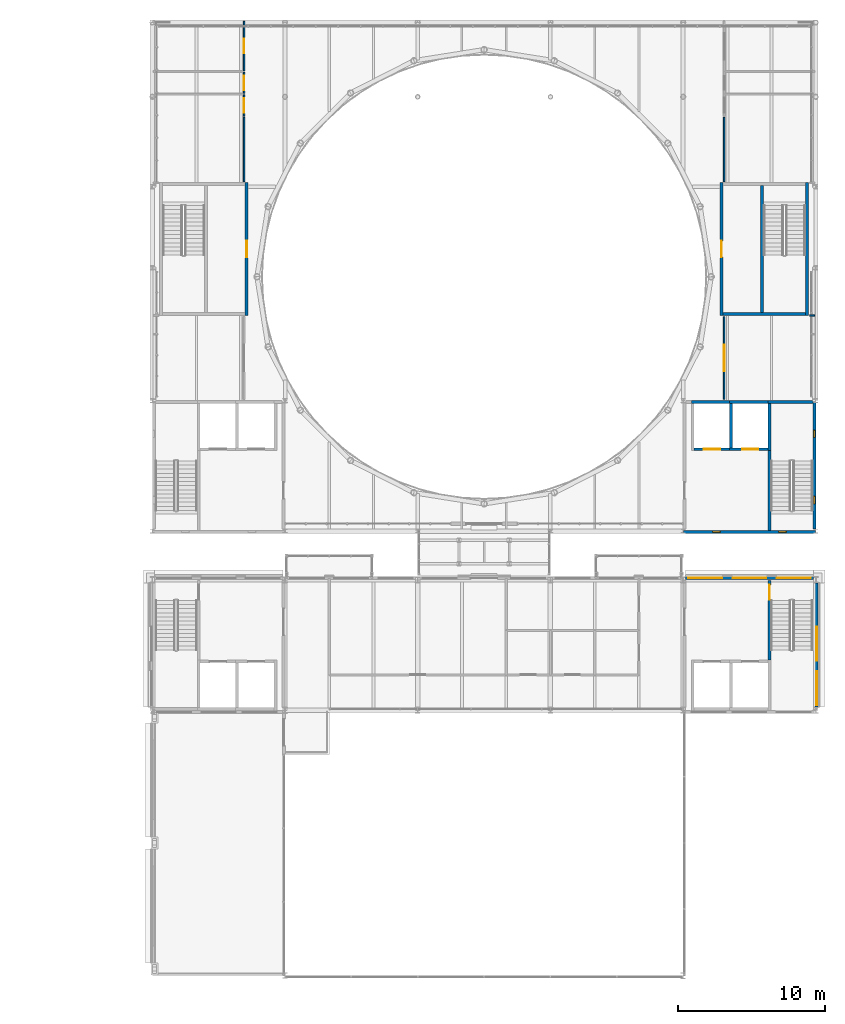
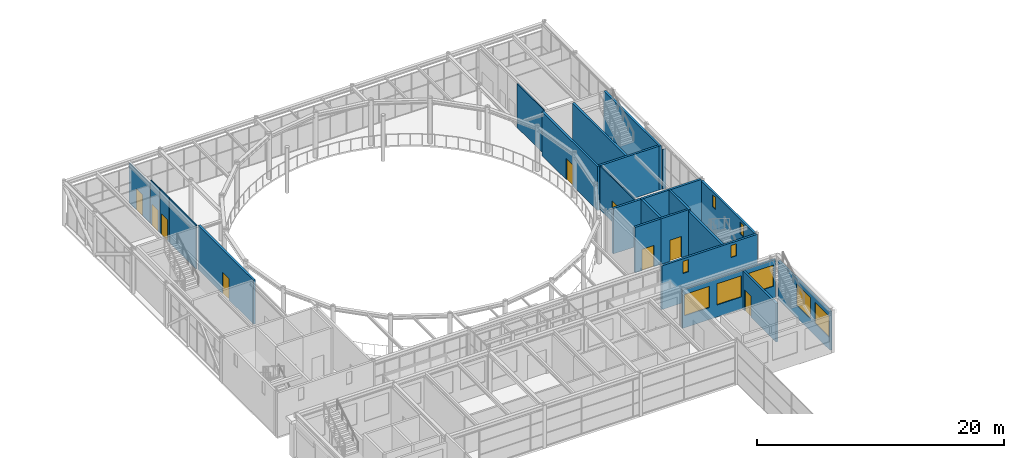
# One storey, part 54 of 70: 25 walls, 9 doors, 9 windows, 18 openings.
"""IFC4 building model written with IfcOpenShell, lengths in metres."""

from ifc_helpers import new_model, si_unit, direction, frame, frame_2d, origin, place, context, subcontext, project, spatial, rectangle, extrude, material, layer, layer_set, type_object, element, fill, save


model = new_model("IFC4")

# Units and contexts
model_context = context("Model", 3, precision=1e-05, world=origin(), true_north=direction((0.0, 1.0)))
body_context = subcontext(model_context, "Body", "Model", "MODEL_VIEW")
ifc_project = project(units=[si_unit("LENGTHUNIT", "METRE"), si_unit("AREAUNIT", "SQUARE_METRE"), si_unit("VOLUMEUNIT", "CUBIC_METRE"), si_unit("PLANEANGLEUNIT", "RADIAN"), si_unit("MASSUNIT", "GRAM", prefix="KILO")], contexts=[model_context])

# Site, building, storey
site_placement = place(None, origin())
site = spatial("IfcSite", under=ifc_project, at=site_placement, CompositionType="ELEMENT")
building_placement = place(site_placement, origin())
building = spatial("IfcBuilding", under=site, at=building_placement, Name="Kallimachos Central Library", CompositionType="ELEMENT")
storey_placement = place(building_placement, frame((0.0, 0.0, 18.89990234375)))
storey = spatial("IfcBuildingStorey", under=building, at=storey_placement, Name="L04", CompositionType="ELEMENT", Elevation=18.89990234375)

# Walls
ifc_material_1 = material(Name="Concrete C30/37", Category="concrete")
ifc_layer_1 = layer(ifc_material_1, 0.199951171875)
ifc_layer_set_1 = layer_set([ifc_layer_1], Name="Core wall 200")
wall_type_1 = type_object("IfcWallType", Name="Core wall 200", PredefinedType="SOLIDWALL", material=ifc_layer_set_1)
wall_1_placement = place(storey_placement, frame((107.25, 95.89990234375, 0.0), z_axis=(0.0, 0.0, 1.0), x_axis=(1.0, 0.0, 0.0)))
element("IfcWall", 1, at=wall_1_placement, inside=storey, type_object=wall_type_1, Name="Core wall V1-SE N", PredefinedType="SOLIDWALL", context=body_context, shape_type="SweptSolid", body=[
    extrude(rectangle(XDim=3.050048828125, YDim=0.199951171875, at=frame_2d((1.52490234375, 0.0))), origin(), (0.0, 0.0, 1.0), 4.5),
])
wall_2_placement = place(storey_placement, frame((107.35009765625, 87.199951171875, 0.0), z_axis=(0.0, 0.0, 1.0), x_axis=(0.0, 1.0, 0.0)))
element("IfcWall", 2, at=wall_2_placement, inside=storey, type_object=wall_type_1, Name="Stair wall V1-SE", PredefinedType="SOLIDWALL", context=body_context, shape_type="SweptSolid", body=[
    extrude(rectangle(XDim=5.400146484375, YDim=0.199951171875, at=frame_2d((2.7001953125, 0.0))), origin(), (0.0, 0.0, 1.0), 4.35009765625),
])

# Wall, opening, door
wall_3_placement = place(storey_placement, frame((71.89990234375, 101.77490234375, 0.0), z_axis=(0.0, 0.0, 1.0), x_axis=(0.0, 1.0, 0.0)))
wall_3 = element("IfcWall", 3, at=wall_3_placement, inside=storey, type_object=wall_type_1, Name="Core wall V1-NW E", PredefinedType="SOLIDWALL", context=body_context, shape_type="SweptSolid", body=[
    extrude(rectangle(XDim=9.0, YDim=0.199951171875, at=frame_2d((4.5, 0.0))), origin(), (0.0, 0.0, 1.0), 4.35009765625),
])
opening_1_placement = place(wall_3_placement, frame((3.949951171875, 0.0, 0.0)))
opening_1 = element("IfcOpeningElement", 4, at=opening_1_placement, cuts=wall_3, Name="Opening D236", PredefinedType="OPENING", context=body_context, shape_type="SweptSolid", body=[
    extrude(rectangle(XDim=1.10009765625, YDim=2.10009765625, at=frame_2d((0.550048828125, 1.050048828125))), frame((0.0, 0.10986328125, 0.0), z_axis=(0.0, -1.0, 0.0), x_axis=(1.0, 0.0, 0.0)), (0.0, 0.0, 1.0), 0.219970703125),
])
ifc_material_2 = material(Name="Steel fire door", Category="steel")
door_type_1 = type_object("IfcDoorType", Name="Fire door EI2 90 1100 x 2100", OperationType="NOTDEFINED", PredefinedType="DOOR", material=ifc_material_2)
door_1_placement = place(opening_1_placement, origin())
door_1 = element("IfcDoor", 5, at=door_1_placement, inside=storey, type_object=door_type_1, Name="V1-DOR-L04-008", OperationType="SINGLE_SWING_RIGHT", OverallHeight=2.10009765625, OverallWidth=1.10009765625, PredefinedType="DOOR", context=body_context, shape_type="SweptSolid", body=[
    extrude(rectangle(XDim=1.10009765625, YDim=2.10009765625, at=frame_2d((0.550048828125, 1.050048828125))), frame((0.0, 0.02490234375, 0.0), z_axis=(0.0, -1.0, 0.0), x_axis=(1.0, 0.0, 0.0)), (0.0, 0.0, 1.0), 0.050048828125),
])
fill(opening_1, door_1)

wall_4_placement = place(storey_placement, frame((104.10009765625, 101.77490234375, 0.0), z_axis=(0.0, 0.0, 1.0), x_axis=(0.0, 1.0, 0.0)))
wall_4 = element("IfcWall", 6, at=wall_4_placement, inside=storey, type_object=wall_type_1, Name="Core wall V1-NE W", PredefinedType="SOLIDWALL", context=body_context, shape_type="SweptSolid", body=[
    extrude(rectangle(XDim=9.0, YDim=0.199951171875, at=frame_2d((4.5, 0.0))), origin(), (0.0, 0.0, 1.0), 4.35009765625),
])
opening_2_placement = place(wall_4_placement, frame((3.949951171875, 0.0, 0.0)))
opening_2 = element("IfcOpeningElement", 7, at=opening_2_placement, cuts=wall_4, Name="Opening D242", PredefinedType="OPENING", context=body_context, shape_type="SweptSolid", body=[
    extrude(rectangle(XDim=1.10009765625, YDim=2.10009765625, at=frame_2d((0.550048828125, 1.050048828125))), frame((0.0, 0.10986328125, 0.0), z_axis=(0.0, -1.0, 0.0), x_axis=(1.0, 0.0, 0.0)), (0.0, 0.0, 1.0), 0.219970703125),
])
door_2_placement = place(opening_2_placement, frame((1.10009765625, 0.0, 0.0), z_axis=(0.0, 0.0, 1.0), x_axis=(-1.0, 0.0, 0.0)))
door_2 = element("IfcDoor", 8, at=door_2_placement, inside=storey, type_object=door_type_1, Name="V1-DOR-L04-009", OperationType="SINGLE_SWING_LEFT", OverallHeight=2.10009765625, OverallWidth=1.10009765625, PredefinedType="DOOR", context=body_context, shape_type="SweptSolid", body=[
    extrude(rectangle(XDim=1.10009765625, YDim=2.10009765625, at=frame_2d((0.550048828125, 1.050048828125))), frame((0.0, 0.02490234375, 0.0), z_axis=(0.0, -1.0, 0.0), x_axis=(1.0, 0.0, 0.0)), (0.0, 0.0, 1.0), 0.050048828125),
])
fill(opening_2, door_2)

# Walls
wall_5_placement = place(storey_placement, frame((109.89990234375, 101.77490234375, 0.0), z_axis=(0.0, 0.0, 1.0), x_axis=(0.0, 1.0, 0.0)))
element("IfcWall", 9, at=wall_5_placement, inside=storey, type_object=wall_type_1, Name="Core wall V1-NE E", PredefinedType="SOLIDWALL", context=body_context, shape_type="SweptSolid", body=[
    extrude(rectangle(XDim=9.0, YDim=0.199951171875, at=frame_2d((4.5, 0.0))), origin(), (0.0, 0.0, 1.0), 4.35009765625),
])
wall_6_placement = place(storey_placement, frame((104.199951171875, 101.875, 0.0), z_axis=(0.0, 0.0, 1.0), x_axis=(1.0, 0.0, 0.0)))
element("IfcWall", 10, at=wall_6_placement, inside=storey, type_object=wall_type_1, Name="Core wall V1-NE S", PredefinedType="SOLIDWALL", context=body_context, shape_type="SweptSolid", body=[
    extrude(rectangle(XDim=5.60009765625, YDim=0.199951171875, at=frame_2d((2.800048828125, 0.0))), origin(), (0.0, 0.0, 1.0), 4.35009765625),
])
wall_7_placement = place(storey_placement, frame((106.85009765625, 101.97509765625, 0.0), z_axis=(0.0, 0.0, 1.0), x_axis=(0.0, 1.0, 0.0)))
element("IfcWall", 11, at=wall_7_placement, inside=storey, type_object=wall_type_1, Name="Stair wall V1-NE", PredefinedType="SOLIDWALL", context=body_context, shape_type="SweptSolid", body=[
    extrude(rectangle(XDim=8.599853515625, YDim=0.199951171875, at=frame_2d((4.2998046875, 0.0))), origin(), (0.0, 0.0, 1.0), 4.35009765625),
])
ifc_material_3 = material(Name="Concrete C30/37", Category="concrete")
ifc_layer_2 = layer(ifc_material_3, 0.199951171875)
ifc_layer_set_2 = layer_set([ifc_layer_2], Name="Lift shaft wall 200")
wall_type_2 = type_object("IfcWallType", Name="Lift shaft wall 200", PredefinedType="SOLIDWALL", material=ifc_layer_set_2)
wall_8_placement = place(storey_placement, frame((104.64990234375, 95.89990234375, 0.0), z_axis=(0.0, 0.0, 1.0), x_axis=(1.0, 0.0, 0.0)))
element("IfcWall", 12, at=wall_8_placement, inside=storey, type_object=wall_type_2, Name="V1-WAL-L04-008", PredefinedType="SOLIDWALL", context=body_context, shape_type="SweptSolid", body=[
    extrude(rectangle(XDim=2.60009765625, YDim=0.199951171875, at=frame_2d((1.300048828125, 0.0))), origin(), (0.0, 0.0, 1.0), 4.5),
])

# Wall, opening, door
wall_9_placement = place(storey_placement, frame((104.64990234375, 92.699951171875, 0.0), z_axis=(0.0, 0.0, 1.0), x_axis=(1.0, 0.0, 0.0)))
wall_9 = element("IfcWall", 13, at=wall_9_placement, inside=storey, type_object=wall_type_2, Name="V1-WAL-L04-009", PredefinedType="SOLIDWALL", context=body_context, shape_type="SweptSolid", body=[
    extrude(rectangle(XDim=2.60009765625, YDim=0.199951171875, at=frame_2d((1.300048828125, 0.0))), origin(), (0.0, 0.0, 1.0), 4.5),
])
opening_3_placement = place(wall_9_placement, frame((0.85009765625, 0.0, 0.0)))
opening_3 = element("IfcOpeningElement", 14, at=opening_3_placement, cuts=wall_9, Name="Opening LD1100", PredefinedType="OPENING", context=body_context, shape_type="SweptSolid", body=[
    extrude(rectangle(XDim=1.10009765625, YDim=2.10009765625, at=frame_2d((0.550048828125, 1.050048828125))), frame((0.0, 0.10986328125, 0.0), z_axis=(0.0, -1.0, 0.0), x_axis=(1.0, 0.0, 0.0)), (0.0, 0.0, 1.0), 0.219970703125),
])
ifc_material_4 = material(Name="Stainless steel", Category="steel")
door_type_2 = type_object("IfcDoorType", Name="Lift landing door 1100 x 2100", OperationType="SLIDING_TO_LEFT", PredefinedType="DOOR", material=ifc_material_4)
door_3_placement = place(opening_3_placement, origin())
door_3 = element("IfcDoor", 15, at=door_3_placement, inside=storey, type_object=door_type_2, Name="LF3 landing door L04", OperationType="SLIDING_TO_LEFT", OverallHeight=2.10009765625, OverallWidth=1.10009765625, PredefinedType="DOOR", context=body_context, shape_type="SweptSolid", body=[
    extrude(rectangle(XDim=1.10009765625, YDim=2.10009765625, at=frame_2d((0.550048828125, 1.050048828125))), frame((0.0, 0.02490234375, 0.0), z_axis=(0.0, -1.0, 0.0), x_axis=(1.0, 0.0, 0.0)), (0.0, 0.0, 1.0), 0.050048828125),
])
fill(opening_3, door_3)

# Walls
for number, where, z_axis, x_axis, name in (
    (16, (104.75, 92.60009765625, 0.0), (0.0, 0.0, 1.0), (0.0, 1.0, 0.0), "V1-WAL-L04-010"),
    (17, (107.35009765625, 92.60009765625, 0.0), (0.0, 0.0, 1.0), (0.0, 1.0, 0.0), "V1-WAL-L04-011"),
):
    element("IfcWall", number, at=place(storey_placement, frame(where, z_axis=z_axis, x_axis=x_axis)), inside=storey, type_object=wall_type_2, Name=name, PredefinedType="SOLIDWALL", context=body_context, shape_type="SweptSolid", body=[
        extrude(rectangle(XDim=3.39990234375, YDim=0.199951171875, at=frame_2d((1.699951171875, 0.0))), origin(), (0.0, 0.0, 1.0), 4.5),
    ])
wall_10_placement = place(storey_placement, frame((102.050048828125, 95.89990234375, 0.0), z_axis=(0.0, 0.0, 1.0), x_axis=(1.0, 0.0, 0.0)))
element("IfcWall", 18, at=wall_10_placement, inside=storey, type_object=wall_type_2, Name="V1-WAL-L04-012", PredefinedType="SOLIDWALL", context=body_context, shape_type="SweptSolid", body=[
    extrude(rectangle(XDim=2.599853515625, YDim=0.199951171875, at=frame_2d((1.2998046875, 0.0))), origin(), (0.0, 0.0, 1.0), 4.5),
])

# Wall, opening, door
wall_11_placement = place(storey_placement, frame((102.25, 92.699951171875, 0.0), z_axis=(0.0, 0.0, 1.0), x_axis=(1.0, 0.0, 0.0)))
wall_11 = element("IfcWall", 19, at=wall_11_placement, inside=storey, type_object=wall_type_2, Name="V1-WAL-L04-013", PredefinedType="SOLIDWALL", context=body_context, shape_type="SweptSolid", body=[
    extrude(rectangle(XDim=2.39990234375, YDim=0.199951171875, at=frame_2d((1.199951171875, 0.0))), origin(), (0.0, 0.0, 1.0), 4.5),
])
opening_4_placement = place(wall_11_placement, frame((0.64990234375, 0.0, 0.0)))
opening_4 = element("IfcOpeningElement", 20, at=opening_4_placement, cuts=wall_11, Name="Opening LD1100", PredefinedType="OPENING", context=body_context, shape_type="SweptSolid", body=[
    extrude(rectangle(XDim=1.10009765625, YDim=2.10009765625, at=frame_2d((0.550048828125, 1.050048828125))), frame((0.0, 0.10986328125, 0.0), z_axis=(0.0, -1.0, 0.0), x_axis=(1.0, 0.0, 0.0)), (0.0, 0.0, 1.0), 0.219970703125),
])
door_4_placement = place(opening_4_placement, origin())
door_4 = element("IfcDoor", 21, at=door_4_placement, inside=storey, type_object=door_type_2, Name="LF4 landing door L04", OperationType="SLIDING_TO_LEFT", OverallHeight=2.10009765625, OverallWidth=1.10009765625, PredefinedType="DOOR", context=body_context, shape_type="SweptSolid", body=[
    extrude(rectangle(XDim=1.10009765625, YDim=2.10009765625, at=frame_2d((0.550048828125, 1.050048828125))), frame((0.0, 0.02490234375, 0.0), z_axis=(0.0, -1.0, 0.0), x_axis=(1.0, 0.0, 0.0)), (0.0, 0.0, 1.0), 0.050048828125),
])
fill(opening_4, door_4)

ifc_material_5 = material(Name="Plasterboard on steel studs", Category="steel")
ifc_layer_3 = layer(ifc_material_5, 0.10009765625)
ifc_layer_set_3 = layer_set([ifc_layer_3], Name="Partition 100")
wall_type_3 = type_object("IfcWallType", Name="Partition 100", PredefinedType="PARTITIONING", material=ifc_layer_set_3)
wall_12_placement = place(storey_placement, frame((71.719970703125, 116.73046875, 0.0), z_axis=(0.0, 0.0, 1.0), x_axis=(0.0, -1.0, 0.0)))
wall_12 = element("IfcWall", 22, at=wall_12_placement, inside=storey, type_object=wall_type_3, Name="Partition", PredefinedType="PARTITIONING", context=body_context, shape_type="SweptSolid", body=[
    extrude(rectangle(XDim=1.443115234375, YDim=0.10009765625, at=frame_2d((0.7216796875, 0.0))), origin(), (0.0, 0.0, 1.0), 4.35009765625),
])
opening_5_placement = place(wall_12_placement, frame((0.2216796875, 0.0, 0.0)))
opening_5 = element("IfcOpeningElement", 23, at=opening_5_placement, cuts=wall_12, Name="Opening D281", PredefinedType="OPENING", context=body_context, shape_type="SweptSolid", body=[
    extrude(rectangle(XDim=1.0, YDim=2.10009765625, at=frame_2d((0.5, 1.050048828125))), frame((0.0, 0.06005859375, 0.0), z_axis=(0.0, -1.0, 0.0), x_axis=(1.0, 0.0, 0.0)), (0.0, 0.0, 1.0), 0.1201171875),
])
ifc_material_6 = material(Name="Oak veneered door leaf")
door_type_3 = type_object("IfcDoorType", Name="Single leaf door EI2 30 1000 x 2100", OperationType="NOTDEFINED", PredefinedType="DOOR", material=ifc_material_6)
door_5_placement = place(opening_5_placement, frame((1.0, 0.0, 0.0), z_axis=(0.0, 0.0, 1.0), x_axis=(-1.0, 0.0, 0.0)))
door_5 = element("IfcDoor", 24, at=door_5_placement, inside=storey, type_object=door_type_3, Name="V1-DOR-L04-011", OperationType="SINGLE_SWING_LEFT", OverallHeight=2.10009765625, OverallWidth=1.0, PredefinedType="DOOR", context=body_context, shape_type="SweptSolid", body=[
    extrude(rectangle(XDim=1.0, YDim=2.10009765625, at=frame_2d((0.5, 1.050048828125))), frame((0.0, 0.02490234375, 0.0), z_axis=(0.0, -1.0, 0.0), x_axis=(1.0, 0.0, 0.0)), (0.0, 0.0, 1.0), 0.050048828125),
])
fill(opening_5, door_5)

# Wall
wall_13_placement = place(storey_placement, frame((71.719970703125, 115.207275390625, 0.0), z_axis=(0.0, 0.0, 1.0), x_axis=(0.0, -1.0, 0.0)))
element("IfcWall", 25, at=wall_13_placement, inside=storey, type_object=wall_type_3, Name="Partition", PredefinedType="PARTITIONING", context=body_context, shape_type="SweptSolid", body=[
    extrude(rectangle(XDim=4.352294921875, YDim=0.10009765625, at=frame_2d((2.17626953125, 0.0))), origin(), (0.0, 0.0, 1.0), 4.35009765625),
])

# Wall, opening, door
wall_14_placement = place(storey_placement, frame((71.719970703125, 118.263671875, 0.0), z_axis=(0.0, 0.0, 1.0), x_axis=(0.0, -1.0, 0.0)))
wall_14 = element("IfcWall", 26, at=wall_14_placement, inside=storey, type_object=wall_type_3, Name="Partition", PredefinedType="PARTITIONING", context=body_context, shape_type="SweptSolid", body=[
    extrude(rectangle(XDim=1.43310546875, YDim=0.10009765625, at=frame_2d((0.716552734375, 0.0))), origin(), (0.0, 0.0, 1.0), 4.35009765625),
])
opening_6_placement = place(wall_14_placement, frame((0.216552734375, 0.0, 0.0)))
opening_6 = element("IfcOpeningElement", 27, at=opening_6_placement, cuts=wall_14, Name="Opening D282", PredefinedType="OPENING", context=body_context, shape_type="SweptSolid", body=[
    extrude(rectangle(XDim=1.0, YDim=2.10009765625, at=frame_2d((0.5, 1.050048828125))), frame((0.0, 0.06005859375, 0.0), z_axis=(0.0, -1.0, 0.0), x_axis=(1.0, 0.0, 0.0)), (0.0, 0.0, 1.0), 0.1201171875),
])
door_6_placement = place(opening_6_placement, frame((1.0, 0.0, 0.0), z_axis=(0.0, 0.0, 1.0), x_axis=(-1.0, 0.0, 0.0)))
door_6 = element("IfcDoor", 28, at=door_6_placement, inside=storey, type_object=door_type_3, Name="V1-DOR-L04-012", OperationType="SINGLE_SWING_RIGHT", OverallHeight=2.10009765625, OverallWidth=1.0, PredefinedType="DOOR", context=body_context, shape_type="SweptSolid", body=[
    extrude(rectangle(XDim=1.0, YDim=2.10009765625, at=frame_2d((0.5, 1.050048828125))), frame((0.0, 0.02490234375, 0.0), z_axis=(0.0, -1.0, 0.0), x_axis=(1.0, 0.0, 0.0)), (0.0, 0.0, 1.0), 0.050048828125),
])
fill(opening_6, door_6)

wall_15_placement = place(storey_placement, frame((71.719970703125, 121.719970703125, 0.0), z_axis=(0.0, 0.0, 1.0), x_axis=(0.0, -1.0, 0.0)))
wall_15 = element("IfcWall", 29, at=wall_15_placement, inside=storey, type_object=wall_type_3, Name="Partition", PredefinedType="PARTITIONING", context=body_context, shape_type="SweptSolid", body=[
    extrude(rectangle(XDim=3.3564453125, YDim=0.10009765625, at=frame_2d((1.67822265625, 0.0))), origin(), (0.0, 0.0, 1.0), 3.9501953125),
])
opening_7_placement = place(wall_15_placement, frame((1.17822265625, 0.0, 0.0)))
opening_7 = element("IfcOpeningElement", 30, at=opening_7_placement, cuts=wall_15, Name="Opening D283", PredefinedType="OPENING", context=body_context, shape_type="SweptSolid", body=[
    extrude(rectangle(XDim=1.0, YDim=2.10009765625, at=frame_2d((0.5, 1.050048828125))), frame((0.0, 0.06005859375, 0.0), z_axis=(0.0, -1.0, 0.0), x_axis=(1.0, 0.0, 0.0)), (0.0, 0.0, 1.0), 0.1201171875),
])
door_7_placement = place(opening_7_placement, frame((1.0, 0.0, 0.0), z_axis=(0.0, 0.0, 1.0), x_axis=(-1.0, 0.0, 0.0)))
door_7 = element("IfcDoor", 31, at=door_7_placement, inside=storey, type_object=door_type_3, Name="V1-DOR-L04-013", OperationType="SINGLE_SWING_RIGHT", OverallHeight=2.10009765625, OverallWidth=1.0, PredefinedType="DOOR", context=body_context, shape_type="SweptSolid", body=[
    extrude(rectangle(XDim=1.0, YDim=2.10009765625, at=frame_2d((0.5, 1.050048828125))), frame((0.0, 0.02490234375, 0.0), z_axis=(0.0, -1.0, 0.0), x_axis=(1.0, 0.0, 0.0)), (0.0, 0.0, 1.0), 0.050048828125),
])
fill(opening_7, door_7)

wall_16_placement = place(storey_placement, frame((104.280029296875, 96.080078125, 0.0), z_axis=(0.0, 0.0, 1.0), x_axis=(0.0, 1.0, 0.0)))
wall_16 = element("IfcWall", 32, at=wall_16_placement, inside=storey, type_object=wall_type_3, Name="Partition", PredefinedType="PARTITIONING", context=body_context, shape_type="SweptSolid", body=[
    extrude(rectangle(XDim=5.614990234375, YDim=0.10009765625, at=frame_2d((2.8076171875, 0.0))), origin(), (0.0, 0.0, 1.0), 4.35009765625),
])
opening_8_placement = place(wall_16_placement, frame((1.907470703125, 0.0, 0.0)))
opening_8 = element("IfcOpeningElement", 33, at=opening_8_placement, cuts=wall_16, Name="Opening D284", PredefinedType="OPENING", context=body_context, shape_type="SweptSolid", body=[
    extrude(rectangle(XDim=1.800048828125, YDim=2.10009765625, at=frame_2d((0.89990234375, 1.050048828125))), frame((0.0, 0.06005859375, 0.0), z_axis=(0.0, -1.0, 0.0), x_axis=(1.0, 0.0, 0.0)), (0.0, 0.0, 1.0), 0.1201171875),
])
ifc_material_7 = material(Name="Oak veneered door leaf")
door_type_4 = type_object("IfcDoorType", Name="Double leaf door EI2 30 1800 x 2100", OperationType="DOUBLE_DOOR_SINGLE_SWING", PredefinedType="DOOR", material=ifc_material_7)
door_8_placement = place(opening_8_placement, origin())
door_8 = element("IfcDoor", 34, at=door_8_placement, inside=storey, type_object=door_type_4, Name="V1-DOR-L04-014", OperationType="DOUBLE_DOOR_SINGLE_SWING", OverallHeight=2.10009765625, OverallWidth=1.800048828125, PredefinedType="DOOR", context=body_context, shape_type="SweptSolid", body=[
    extrude(rectangle(XDim=1.800048828125, YDim=2.10009765625, at=frame_2d((0.89990234375, 1.050048828125))), frame((0.0, 0.02490234375, 0.0), z_axis=(0.0, -1.0, 0.0), x_axis=(1.0, 0.0, 0.0)), (0.0, 0.0, 1.0), 0.050048828125),
])
fill(opening_8, door_8)

# Walls
wall_17_placement = place(storey_placement, frame((110.080078125, 101.77490234375, 0.0), z_axis=(0.0, 0.0, 1.0), x_axis=(1.0, 0.0, 0.0)))
element("IfcWall", 35, at=wall_17_placement, inside=storey, type_object=wall_type_3, Name="Partition", PredefinedType="PARTITIONING", context=body_context, shape_type="SweptSolid", body=[
    extrude(rectangle(XDim=0.33984375, YDim=0.10009765625, at=frame_2d((0.169921875, 0.0))), origin(), (0.0, 0.0, 1.0), 3.91015625),
])
wall_18_placement = place(storey_placement, frame((104.280029296875, 110.85498046875, 0.0), z_axis=(0.0, 0.0, 1.0), x_axis=(0.0, 1.0, 0.0)))
element("IfcWall", 36, at=wall_18_placement, inside=storey, type_object=wall_type_3, Name="Partition", PredefinedType="PARTITIONING", context=body_context, shape_type="SweptSolid", body=[
    extrude(rectangle(XDim=4.352294921875, YDim=0.10009765625, at=frame_2d((2.17626953125, 0.0))), origin(), (0.0, 0.0, 1.0), 4.35009765625),
])

# Wall, opening, door
ifc_material_8 = material(Name="Concrete C35/45", Category="concrete")
ifc_layer_4 = layer(ifc_material_8, 0.199951171875)
ifc_layer_set_4 = layer_set([ifc_layer_4], Name="Shear core wall 200, internal")
wall_type_4 = type_object("IfcWallType", Name="Shear core wall 200, internal", PredefinedType="SHEAR", material=ifc_layer_set_4)
wall_19_placement = place(storey_placement, frame((107.35009765625, 78.39990234375, 0.0), z_axis=(0.0, 0.0, 1.0), x_axis=(0.0, 1.0, 0.0)))
wall_19 = element("IfcWall", 37, at=wall_19_placement, inside=storey, type_object=wall_type_4, Name="L04 core wall V4-NE M", PredefinedType="SHEAR", context=body_context, shape_type="SweptSolid", body=[
    extrude(rectangle(XDim=5.400146484375, YDim=0.199951171875, at=frame_2d((2.7001953125, 0.0))), origin(), (0.0, 0.0, 1.0), 3.800048828125),
])
opening_9_placement = place(wall_19_placement, frame((4.10009765625, 0.0, 0.0)))
opening_9 = element("IfcOpeningElement", 38, at=opening_9_placement, cuts=wall_19, Name="Opening D166", PredefinedType="OPENING", context=body_context, shape_type="SweptSolid", body=[
    extrude(rectangle(XDim=1.0, YDim=2.10009765625, at=frame_2d((0.5, 1.050048828125))), frame((0.0, 0.10986328125, 0.0), z_axis=(0.0, -1.0, 0.0), x_axis=(1.0, 0.0, 0.0)), (0.0, 0.0, 1.0), 0.219970703125),
])
ifc_material_9 = material(Name="Timber", Category="wood")
door_type_5 = type_object("IfcDoorType", Name="Single leaf door 1000 x 2100, EI2 90", OperationType="NOTDEFINED", PredefinedType="DOOR", material=ifc_material_9)
door_9_placement = place(opening_9_placement, frame((1.0, 0.0, 0.0), z_axis=(0.0, 0.0, 1.0), x_axis=(-1.0, 0.0, 0.0)))
door_9 = element("IfcDoor", 39, at=door_9_placement, inside=storey, type_object=door_type_5, Name="L04 core door V4-NE", OperationType="SINGLE_SWING_LEFT", OverallHeight=2.10009765625, OverallWidth=1.0, PredefinedType="DOOR", context=body_context, shape_type="SweptSolid", body=[
    extrude(rectangle(XDim=1.0, YDim=2.10009765625, at=frame_2d((0.5, 1.050048828125))), frame((0.0, 0.02490234375, 0.0), z_axis=(0.0, -1.0, 0.0), x_axis=(1.0, 0.0, 0.0)), (0.0, 0.0, 1.0), 0.050048828125),
])
fill(opening_9, door_9)

# Wall, openings, windows
ifc_material_10 = material(Name="Concrete C30/37", Category="concrete")
ifc_layer_5 = layer(ifc_material_10, 0.199951171875)
ifc_layer_set_5 = layer_set([ifc_layer_5], Name="Stone-clad core wall 200")
wall_type_5 = type_object("IfcWallType", Name="Stone-clad core wall 200", PredefinedType="SOLIDWALL", material=ifc_layer_set_5)
wall_20_placement = place(storey_placement, frame((110.39990234375, 87.2900390625, 0.0), z_axis=(0.0, 0.0, 1.0), x_axis=(0.0, 1.0, 0.0)))
wall_20 = element("IfcWall", 40, at=wall_20_placement, inside=storey, type_object=wall_type_5, Name="Core wall V1-SE E", PredefinedType="SOLIDWALL", context=body_context, shape_type="SweptSolid", body=[
    extrude(rectangle(XDim=8.570068359375, YDim=0.199951171875, at=frame_2d((4.28515625, 0.0))), origin(), (0.0, 0.0, 1.0), 4.35009765625),
])
opening_10_placement = place(wall_20_placement, frame((1.7099609375, 0.0, 2.89990234375)))
opening_10 = element("IfcOpeningElement", 41, at=opening_10_placement, cuts=wall_20, Name="Opening W128", PredefinedType="OPENING", context=body_context, shape_type="SweptSolid", body=[
    extrude(rectangle(XDim=0.5, YDim=1.199951171875, at=frame_2d((0.25, 0.60009765625))), frame((0.0, 0.10986328125, 0.0), z_axis=(0.0, -1.0, 0.0), x_axis=(1.0, 0.0, 0.0)), (0.0, 0.0, 1.0), 0.219970703125),
])
opening_11_placement = place(wall_20_placement, frame((6.2099609375, 0.0, 2.89990234375)))
opening_11 = element("IfcOpeningElement", 42, at=opening_11_placement, cuts=wall_20, Name="Opening W129", PredefinedType="OPENING", context=body_context, shape_type="SweptSolid", body=[
    extrude(rectangle(XDim=0.5, YDim=1.199951171875, at=frame_2d((0.25, 0.60009765625))), frame((0.0, 0.10986328125, 0.0), z_axis=(0.0, -1.0, 0.0), x_axis=(1.0, 0.0, 0.0)), (0.0, 0.0, 1.0), 0.219970703125),
])
ifc_material_11 = material(Name="Laminated glass in bronze-anodised aluminium frame", Category="aluminium")
window_type_1 = type_object("IfcWindowType", Name="Stair slot window 500x1200", PartitioningType="SINGLE_PANEL", PredefinedType="WINDOW", material=ifc_material_11)
window_1_placement = place(opening_10_placement, origin())
window_1 = element("IfcWindow", 43, at=window_1_placement, inside=storey, type_object=window_type_1, Name="V1-WIN-L04-005", OverallHeight=1.199951171875, OverallWidth=0.5, PartitioningType="SINGLE_PANEL", PredefinedType="WINDOW", context=body_context, shape_type="SweptSolid", body=[
    extrude(rectangle(XDim=0.5, YDim=1.199951171875, at=frame_2d((0.25, 0.60009765625))), frame((0.0, 0.030029296875, 0.0), z_axis=(0.0, -1.0, 0.0), x_axis=(1.0, 0.0, 0.0)), (0.0, 0.0, 1.0), 0.06005859375),
])
fill(opening_10, window_1)
window_2_placement = place(opening_11_placement, origin())
window_2 = element("IfcWindow", 44, at=window_2_placement, inside=storey, type_object=window_type_1, Name="V1-WIN-L04-006", OverallHeight=1.199951171875, OverallWidth=0.5, PartitioningType="SINGLE_PANEL", PredefinedType="WINDOW", context=body_context, shape_type="SweptSolid", body=[
    extrude(rectangle(XDim=0.5, YDim=1.199951171875, at=frame_2d((0.25, 0.60009765625))), frame((0.0, 0.030029296875, 0.0), z_axis=(0.0, -1.0, 0.0), x_axis=(1.0, 0.0, 0.0)), (0.0, 0.0, 1.0), 0.06005859375),
])
fill(opening_11, window_2)

wall_21_placement = place(storey_placement, frame((101.510986328125, 87.10009765625, 0.0), z_axis=(0.0, 0.0, 1.0), x_axis=(1.0, 0.0, 0.0)))
wall_21 = element("IfcWall", 45, at=wall_21_placement, inside=storey, type_object=wall_type_5, Name="Core wall V1-SE S", PredefinedType="SOLIDWALL", context=body_context, shape_type="SweptSolid", body=[
    extrude(rectangle(XDim=8.97802734375, YDim=0.199951171875, at=frame_2d((4.489013671875, 0.0))), origin(), (0.0, 0.0, 1.0), 4.35009765625),
])
opening_12_placement = place(wall_21_placement, frame((1.989013671875, 0.0, 2.89990234375)))
opening_12 = element("IfcOpeningElement", 46, at=opening_12_placement, cuts=wall_21, Name="Opening W130", PredefinedType="OPENING", context=body_context, shape_type="SweptSolid", body=[
    extrude(rectangle(XDim=0.5, YDim=1.199951171875, at=frame_2d((0.25, 0.60009765625))), frame((0.0, 0.10986328125, 0.0), z_axis=(0.0, -1.0, 0.0), x_axis=(1.0, 0.0, 0.0)), (0.0, 0.0, 1.0), 0.219970703125),
])
opening_13_placement = place(wall_21_placement, frame((6.489013671875, 0.0, 2.89990234375)))
opening_13 = element("IfcOpeningElement", 47, at=opening_13_placement, cuts=wall_21, Name="Opening W131", PredefinedType="OPENING", context=body_context, shape_type="SweptSolid", body=[
    extrude(rectangle(XDim=0.5, YDim=1.199951171875, at=frame_2d((0.25, 0.60009765625))), frame((0.0, 0.10986328125, 0.0), z_axis=(0.0, -1.0, 0.0), x_axis=(1.0, 0.0, 0.0)), (0.0, 0.0, 1.0), 0.219970703125),
])
window_3_placement = place(opening_12_placement, origin())
window_3 = element("IfcWindow", 48, at=window_3_placement, inside=storey, type_object=window_type_1, Name="V1-WIN-L04-007", OverallHeight=1.199951171875, OverallWidth=0.5, PartitioningType="SINGLE_PANEL", PredefinedType="WINDOW", context=body_context, shape_type="SweptSolid", body=[
    extrude(rectangle(XDim=0.5, YDim=1.199951171875, at=frame_2d((0.25, 0.60009765625))), frame((0.0, 0.030029296875, 0.0), z_axis=(0.0, -1.0, 0.0), x_axis=(1.0, 0.0, 0.0)), (0.0, 0.0, 1.0), 0.06005859375),
])
fill(opening_12, window_3)
window_4_placement = place(opening_13_placement, origin())
window_4 = element("IfcWindow", 49, at=window_4_placement, inside=storey, type_object=window_type_1, Name="V1-WIN-L04-008", OverallHeight=1.199951171875, OverallWidth=0.5, PartitioningType="SINGLE_PANEL", PredefinedType="WINDOW", context=body_context, shape_type="SweptSolid", body=[
    extrude(rectangle(XDim=0.5, YDim=1.199951171875, at=frame_2d((0.25, 0.60009765625))), frame((0.0, 0.030029296875, 0.0), z_axis=(0.0, -1.0, 0.0), x_axis=(1.0, 0.0, 0.0)), (0.0, 0.0, 1.0), 0.06005859375),
])
fill(opening_13, window_4)

ifc_material_12 = material(Name="Brick masonry with Pentelic marble cladding", Category="masonry")
ifc_layer_6 = layer(ifc_material_12, 0.199951171875)
ifc_layer_set_6 = layer_set([ifc_layer_6], Name="Stone-clad masonry wall 200, EI 120")
wall_type_6 = type_object("IfcWallType", Name="Stone-clad masonry wall 200, EI 120", PredefinedType="SOLIDWALL", material=ifc_layer_set_6)
wall_22_placement = place(storey_placement, frame((101.653564453125, 83.966064453125, 0.0), z_axis=(0.0, 0.0, 1.0), x_axis=(1.0, 0.0, 0.0)))
wall_22 = element("IfcWall", 50, at=wall_22_placement, inside=storey, type_object=wall_type_6, Name="V4-WAL-L04-019", PredefinedType="SOLIDWALL", context=body_context, shape_type="SweptSolid", body=[
    extrude(rectangle(XDim=8.69287109375, YDim=0.199951171875, at=frame_2d((4.346435546875, 0.0))), origin(), (0.0, 0.0, 1.0), 3.800048828125),
])
opening_14_placement = place(wall_22_placement, frame((0.196533203125, 0.0, 1.199951171875)))
opening_14 = element("IfcOpeningElement", 51, at=opening_14_placement, cuts=wall_22, Name="Opening WN269", PredefinedType="OPENING", context=body_context, shape_type="SweptSolid", body=[
    extrude(rectangle(XDim=2.300048828125, YDim=2.10009765625, at=frame_2d((1.14990234375, 1.050048828125))), frame((0.0, 0.10986328125, 0.0), z_axis=(0.0, -1.0, 0.0), x_axis=(1.0, 0.0, 0.0)), (0.0, 0.0, 1.0), 0.219970703125),
])
opening_15_placement = place(wall_22_placement, frame((3.196533203125, 0.0, 1.199951171875)))
opening_15 = element("IfcOpeningElement", 52, at=opening_15_placement, cuts=wall_22, Name="Opening WN269", PredefinedType="OPENING", context=body_context, shape_type="SweptSolid", body=[
    extrude(rectangle(XDim=2.300048828125, YDim=2.10009765625, at=frame_2d((1.14990234375, 1.050048828125))), frame((0.0, 0.10986328125, 0.0), z_axis=(0.0, -1.0, 0.0), x_axis=(1.0, 0.0, 0.0)), (0.0, 0.0, 1.0), 0.219970703125),
])
opening_16_placement = place(wall_22_placement, frame((6.196533203125, 0.0, 1.199951171875)))
opening_16 = element("IfcOpeningElement", 53, at=opening_16_placement, cuts=wall_22, Name="Opening WN269", PredefinedType="OPENING", context=body_context, shape_type="SweptSolid", body=[
    extrude(rectangle(XDim=2.300048828125, YDim=2.10009765625, at=frame_2d((1.14990234375, 1.050048828125))), frame((0.0, 0.10986328125, 0.0), z_axis=(0.0, -1.0, 0.0), x_axis=(1.0, 0.0, 0.0)), (0.0, 0.0, 1.0), 0.219970703125),
])
ifc_material_13 = material(Name="Anodised aluminium and laminated glass", Category="aluminium")
window_type_2 = type_object("IfcWindowType", Name="Window 2300 x 2100, EI 120", PartitioningType="DOUBLE_PANEL_VERTICAL", PredefinedType="WINDOW", material=ifc_material_13)
window_5_placement = place(opening_14_placement, origin())
window_5 = element("IfcWindow", 54, at=window_5_placement, inside=storey, type_object=window_type_2, Name="V4-WIN-L04-012", OverallHeight=2.10009765625, OverallWidth=2.300048828125, PartitioningType="SINGLE_PANEL", PredefinedType="WINDOW", context=body_context, shape_type="SweptSolid", body=[
    extrude(rectangle(XDim=2.300048828125, YDim=2.10009765625, at=frame_2d((1.14990234375, 1.050048828125))), frame((0.0, 0.030029296875, 0.0), z_axis=(0.0, -1.0, 0.0), x_axis=(1.0, 0.0, 0.0)), (0.0, 0.0, 1.0), 0.06005859375),
])
fill(opening_14, window_5)
window_6_placement = place(opening_15_placement, origin())
window_6 = element("IfcWindow", 55, at=window_6_placement, inside=storey, type_object=window_type_2, Name="V4-WIN-L04-013", OverallHeight=2.10009765625, OverallWidth=2.300048828125, PartitioningType="SINGLE_PANEL", PredefinedType="WINDOW", context=body_context, shape_type="SweptSolid", body=[
    extrude(rectangle(XDim=2.300048828125, YDim=2.10009765625, at=frame_2d((1.14990234375, 1.050048828125))), frame((0.0, 0.030029296875, 0.0), z_axis=(0.0, -1.0, 0.0), x_axis=(1.0, 0.0, 0.0)), (0.0, 0.0, 1.0), 0.06005859375),
])
fill(opening_15, window_6)
window_7_placement = place(opening_16_placement, origin())
window_7 = element("IfcWindow", 56, at=window_7_placement, inside=storey, type_object=window_type_2, Name="V4-WIN-L04-014", OverallHeight=2.10009765625, OverallWidth=2.300048828125, PartitioningType="SINGLE_PANEL", PredefinedType="WINDOW", context=body_context, shape_type="SweptSolid", body=[
    extrude(rectangle(XDim=2.300048828125, YDim=2.10009765625, at=frame_2d((1.14990234375, 1.050048828125))), frame((0.0, 0.030029296875, 0.0), z_axis=(0.0, -1.0, 0.0), x_axis=(1.0, 0.0, 0.0)), (0.0, 0.0, 1.0), 0.06005859375),
])
fill(opening_16, window_7)

ifc_material_14 = material(Name="Brick masonry with Pentelic marble cladding", Category="masonry")
ifc_layer_7 = layer(ifc_material_14, 0.199951171875)
ifc_layer_set_7 = layer_set([ifc_layer_7], Name="Stone-clad masonry wall 200, load-bearing, EI 120")
wall_type_7 = type_object("IfcWallType", Name="Stone-clad masonry wall 200, load-bearing, EI 120", PredefinedType="SOLIDWALL", material=ifc_layer_set_7)
wall_23_placement = place(storey_placement, frame((110.553466796875, 75.216064453125, 0.0), z_axis=(0.0, 0.0, 1.0), x_axis=(0.0, 1.0, 0.0)))
wall_23 = element("IfcWall", 57, at=wall_23_placement, inside=storey, type_object=wall_type_7, Name="V4-WAL-L04-021", PredefinedType="SOLIDWALL", context=body_context, shape_type="SweptSolid", body=[
    extrude(rectangle(XDim=8.41796875, YDim=0.199951171875, at=frame_2d((4.208984375, 0.0))), origin(), (0.0, 0.0, 1.0), 3.800048828125),
])
opening_17_placement = place(wall_23_placement, frame((0.134033203125, 0.0, 1.199951171875)))
opening_17 = element("IfcOpeningElement", 58, at=opening_17_placement, cuts=wall_23, Name="Opening WN269", PredefinedType="OPENING", context=body_context, shape_type="SweptSolid", body=[
    extrude(rectangle(XDim=2.300048828125, YDim=2.10009765625, at=frame_2d((1.14990234375, 1.050048828125))), frame((0.0, 0.10986328125, 0.0), z_axis=(0.0, -1.0, 0.0), x_axis=(1.0, 0.0, 0.0)), (0.0, 0.0, 1.0), 0.219970703125),
])
opening_18_placement = place(wall_23_placement, frame((3.134033203125, 0.0, 1.199951171875)))
opening_18 = element("IfcOpeningElement", 59, at=opening_18_placement, cuts=wall_23, Name="Opening WN269", PredefinedType="OPENING", context=body_context, shape_type="SweptSolid", body=[
    extrude(rectangle(XDim=2.300048828125, YDim=2.10009765625, at=frame_2d((1.14990234375, 1.050048828125))), frame((0.0, 0.10986328125, 0.0), z_axis=(0.0, -1.0, 0.0), x_axis=(1.0, 0.0, 0.0)), (0.0, 0.0, 1.0), 0.219970703125),
])
window_8_placement = place(opening_17_placement, origin())
window_8 = element("IfcWindow", 60, at=window_8_placement, inside=storey, type_object=window_type_2, Name="V4-WIN-L04-017", OverallHeight=2.10009765625, OverallWidth=2.300048828125, PartitioningType="SINGLE_PANEL", PredefinedType="WINDOW", context=body_context, shape_type="SweptSolid", body=[
    extrude(rectangle(XDim=2.300048828125, YDim=2.10009765625, at=frame_2d((1.14990234375, 1.050048828125))), frame((0.0, 0.030029296875, 0.0), z_axis=(0.0, -1.0, 0.0), x_axis=(1.0, 0.0, 0.0)), (0.0, 0.0, 1.0), 0.06005859375),
])
fill(opening_17, window_8)
window_9_placement = place(opening_18_placement, origin())
window_9 = element("IfcWindow", 61, at=window_9_placement, inside=storey, type_object=window_type_2, Name="V4-WIN-L04-018", OverallHeight=2.10009765625, OverallWidth=2.300048828125, PartitioningType="SINGLE_PANEL", PredefinedType="WINDOW", context=body_context, shape_type="SweptSolid", body=[
    extrude(rectangle(XDim=2.300048828125, YDim=2.10009765625, at=frame_2d((1.14990234375, 1.050048828125))), frame((0.0, 0.030029296875, 0.0), z_axis=(0.0, -1.0, 0.0), x_axis=(1.0, 0.0, 0.0)), (0.0, 0.0, 1.0), 0.06005859375),
])
fill(opening_18, window_9)

save(model, "model.ifc")
